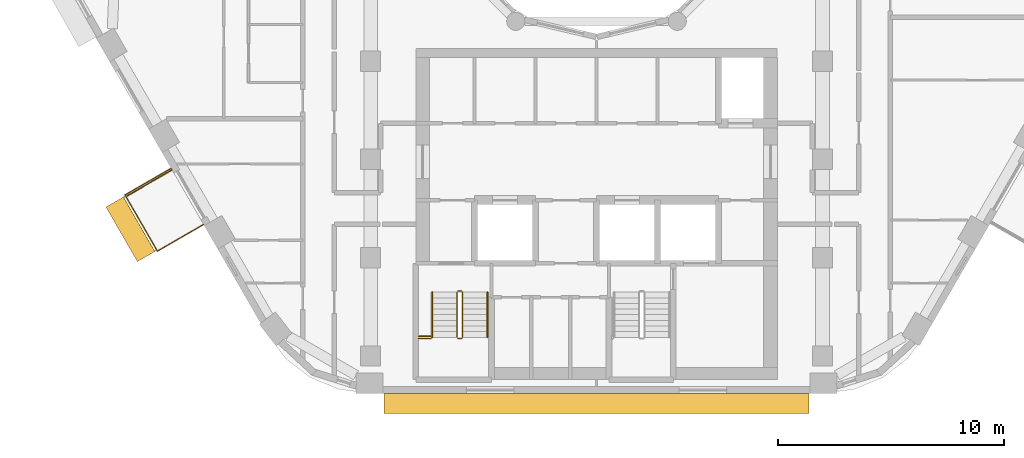
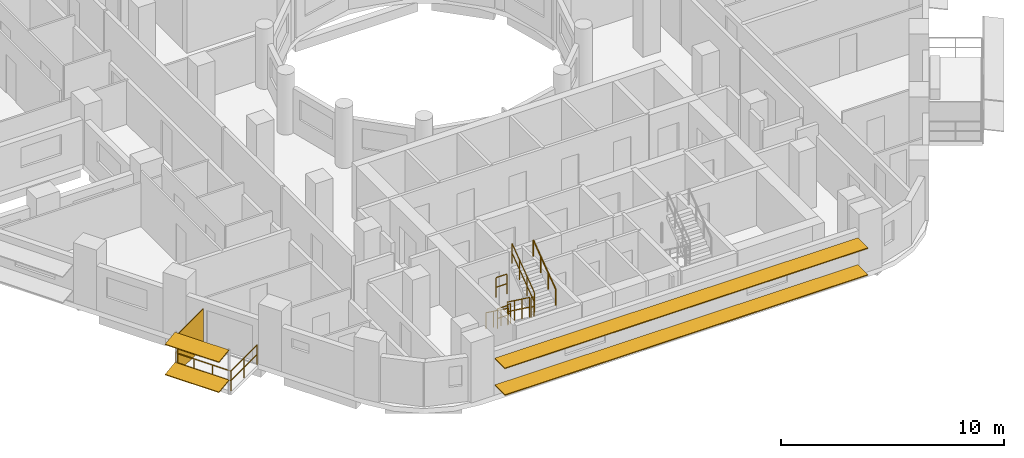
# One storey, part 14 of 17: 9 railings, 5 shading devices.
"""IFC4 building model written with IfcOpenShell, lengths in metres."""

from ifc_helpers import new_model, si_unit, direction, frame, origin, origin_2d, place, context, subcontext, project, spatial, rectangle, circle, extrude, material, layer, layer_set, material_profile, profile_set, type_object, element, save


model = new_model("IFC4")

# Units and contexts
model_context = context("Model", 3, precision=1e-05, world=origin(), true_north=direction((0.0, 1.0)))
body_context = subcontext(model_context, "Body", "Model", "MODEL_VIEW")
ifc_project = project(units=[si_unit("LENGTHUNIT", "METRE"), si_unit("AREAUNIT", "SQUARE_METRE"), si_unit("VOLUMEUNIT", "CUBIC_METRE"), si_unit("PLANEANGLEUNIT", "RADIAN"), si_unit("MASSUNIT", "GRAM", prefix="KILO")], contexts=[model_context])

# Site, building, storey
site_placement = place(None, origin())
site = spatial("IfcSite", under=ifc_project, at=site_placement, CompositionType="ELEMENT")
building_placement = place(site_placement, origin())
building = spatial("IfcBuilding", under=site, at=building_placement, Name="Nakaniwa Court", CompositionType="ELEMENT")
storey_placement = place(building_placement, frame((0.0, 0.0, 203.10009765625)))
storey = spatial("IfcBuildingStorey", under=building, at=storey_placement, Name="L53", CompositionType="ELEMENT", Elevation=203.10009765625)

# Railing
ifc_material_1 = material(Name="Black powder-coated steel flat bar balustrade S275", Category="steel")
railing_type_1 = type_object("IfcRailingType", Name="Black metal balcony guard 1100", PredefinedType="GUARDRAIL", material=ifc_material_1)
railing_1_placement = place(storey_placement, frame((61.17529296875, 67.305419921875, -0.050048828125)))
element("IfcRailing", 1, at=railing_1_placement, inside=storey, type_object=railing_type_1, Name="L53 balcony guard 02", PredefinedType="GUARDRAIL", context=body_context, shape_type="SweptSolid", body=[
    extrude(circle(Radius=0.02392578125, at=origin_2d()), frame((0.0, 0.0, 1.076171875), z_axis=(-0.866025363618, -0.50000006957, 0.0), x_axis=(0.50000006957, -0.866025363618, 0.0)), (0.0, 0.0, 1.0), 2.35986328125),
    extrude(circle(Radius=0.02392578125, at=origin_2d()), frame((0.0, 0.0, 0.550048828125), z_axis=(-0.866025363618, -0.50000006957, 0.0), x_axis=(0.50000006957, -0.866025363618, 0.0)), (0.0, 0.0, 1.0), 2.35986328125),
    extrude(circle(Radius=0.02392578125, at=origin_2d()), frame((-2.043701171875, -1.179931640625, 1.076171875), z_axis=(0.499975463599, -0.866039569419, 0.0), x_axis=(0.866039569419, 0.499975463599, 0.0)), (0.0, 0.0, 1.0), 2.867919921875),
    extrude(circle(Radius=0.02392578125, at=origin_2d()), frame((-2.043701171875, -1.179931640625, 0.550048828125), z_axis=(0.499975463599, -0.866039569419, 0.0), x_axis=(0.866039569419, 0.499975463599, 0.0)), (0.0, 0.0, 1.0), 2.867919921875),
    extrude(circle(Radius=0.02392578125, at=origin_2d()), frame((-0.60986328125, -3.66357421875, 1.076171875), z_axis=(0.865980564943, 0.500077655111, 0.0), x_axis=(-0.500077655111, 0.865980564943, 0.0)), (0.0, 0.0, 1.0), 2.35986328125),
    extrude(circle(Radius=0.02392578125, at=origin_2d()), frame((-0.60986328125, -3.66357421875, 0.550048828125), z_axis=(0.865980564943, 0.500077655111, 0.0), x_axis=(-0.500077655111, 0.865980564943, 0.0)), (0.0, 0.0, 1.0), 2.35986328125),
    extrude(circle(Radius=0.02099609375, at=origin_2d()), origin(), (0.0, 0.0, 1.0), 1.052001953125),
    extrude(circle(Radius=0.02099609375, at=origin_2d()), frame((-1.02197265625, -0.58984375, 0.0)), (0.0, 0.0, 1.0), 1.052001953125),
    extrude(circle(Radius=0.02099609375, at=origin_2d()), frame((-2.043701171875, -1.179931640625, 0.0)), (0.0, 0.0, 1.0), 1.052001953125),
    extrude(circle(Radius=0.02099609375, at=origin_2d()), frame((-1.565673828125, -2.0078125, 0.0)), (0.0, 0.0, 1.0), 1.052001953125),
    extrude(circle(Radius=0.02099609375, at=origin_2d()), frame((-1.087890625, -2.835693359375, 0.0)), (0.0, 0.0, 1.0), 1.052001953125),
    extrude(circle(Radius=0.02099609375, at=origin_2d()), frame((-0.60986328125, -3.66357421875, 0.0)), (0.0, 0.0, 1.0), 1.052001953125),
    extrude(circle(Radius=0.02099609375, at=origin_2d()), frame((0.412109375, -3.073486328125, 0.0)), (0.0, 0.0, 1.0), 1.052001953125),
    extrude(circle(Radius=0.02099609375, at=origin_2d()), frame((1.433837890625, -2.4833984375, 0.0)), (0.0, 0.0, 1.0), 1.052001953125),
])

# Shading devices
ifc_material_2 = material(Name="Black powder-coated aluminium slat screen", Category="aluminium")
ifc_layer = layer(ifc_material_2, 0.0400390625)
ifc_layer_set = layer_set([ifc_layer], Name="Black powder-coated aluminium slat screen")
shading_device_type_1 = type_object("IfcShadingDeviceType", Name="Koshi screen black metal", PredefinedType="USERDEFINED", material=ifc_layer_set)
shading_device_placement = place(storey_placement, frame((60.215087890625, 66.65869140625, -0.050048828125), z_axis=(0.0, 0.0, 1.0), x_axis=(0.500016626402, -0.866015804314, 0.0)))
element("IfcShadingDevice", 2, at=shading_device_placement, inside=storey, type_object=shading_device_type_1, Name="L53 balcony SCREEN 02 W", ObjectType="KOSHI SCREEN", PredefinedType="USERDEFINED", context=body_context, shape_type="SweptSolid", body=[
    extrude(rectangle(XDim=0.0400390625, YDim=2.31005859375, at=origin_2d()), origin(), (0.0, 0.0, 1.0), 2.10009765625),
])
ifc_material_3 = material(Name="Perforated charcoal ceramic louvre blade")
ifc_material_profile = material_profile(ifc_material_3, rectangle(XDim=0.89990234375, YDim=0.050048828125, at=origin_2d()), Name="Perforated ceramic louvre blade")
ifc_profile_set = profile_set([ifc_material_profile], Name="Perforated charcoal ceramic louvre blade")
shading_device_type_2 = type_object("IfcShadingDeviceType", Name="Perforated ceramic louvre blade", PredefinedType="JALOUSIE", material=ifc_profile_set)
for number, where, z_axis, x_axis, name in (
    (3, (58.67578125, 65.81591796875, 0.5), (0.500010545262, -0.866019315389, 0.0), (0.858610400093, 0.495732885733, 0.13052619222), "L53 perforated ceramic louvre blade 02 1"),
    (4, (58.67578125, 65.81591796875, 2.14990234375), (0.500010545262, -0.866019315389, 0.0), (0.858610400093, 0.495732885733, 0.13052619222), "L53 perforated ceramic louvre blade 02 2"),
):
    element("IfcShadingDevice", number, at=place(storey_placement, frame(where, z_axis=z_axis, x_axis=x_axis)), inside=storey, type_object=shading_device_type_2, Name=name, PredefinedType="JALOUSIE", context=body_context, shape_type="SweptSolid", body=[
        extrude(rectangle(XDim=0.89990234375, YDim=0.050048828125, at=origin_2d()), origin(), (0.0, 0.0, 1.0), 2.78759765625),
    ])
for number, where, z_axis, x_axis, name in (
    (5, (70.6005859375, 56.89990234375, 0.5498046875), (1.0, 0.0, 0.0), (0.0, 1.0, 0.0), "L53 perforated ceramic louvre blade w26 1"),
    (6, (70.6005859375, 56.89990234375, 2.014892578125), (1.0, 0.0, 0.0), (0.0, 1.0, 0.0), "L53 perforated ceramic louvre blade w26 2"),
):
    element("IfcShadingDevice", number, at=place(storey_placement, frame(where, z_axis=z_axis, x_axis=x_axis)), inside=storey, type_object=shading_device_type_2, Name=name, PredefinedType="JALOUSIE", context=body_context, shape_type="SweptSolid", body=[
        extrude(rectangle(XDim=0.89990234375, YDim=0.050048828125, at=origin_2d()), origin(), (0.0, 0.0, 1.0), 18.79296875),
    ])

# Railings
ifc_material_4 = material(Name="Black powder coated steel guard", Category="steel")
railing_type_2 = type_object("IfcRailingType", Name="Stair guard 1100", PredefinedType="GUARDRAIL", material=ifc_material_4)
railing_2_placement = place(storey_placement, frame((73.824951171875, 61.824951171875, 0.183349609375)))
element("IfcRailing", 7, at=railing_2_placement, inside=storey, type_object=railing_type_2, Name="L53 ST3 stair guard 1", PredefinedType="GUARDRAIL", context=body_context, shape_type="SweptSolid", body=[
    extrude(circle(Radius=0.02392578125, at=origin_2d()), frame((0.0, 0.0, 1.076171875), z_axis=(0.0, -0.806426902644, 0.591333789573), x_axis=(1.0, 0.0, 0.0)), (0.0, 0.0, 1.0), 2.47998046875),
    extrude(circle(Radius=0.02392578125, at=origin_2d()), frame((0.0, 0.0, 0.550048828125), z_axis=(0.0, -0.806426902644, 0.591333789573), x_axis=(1.0, 0.0, 0.0)), (0.0, 0.0, 1.0), 2.47998046875),
    extrude(circle(Radius=0.02099609375, at=origin_2d()), origin(), (0.0, 0.0, 1.0), 1.052001953125),
    extrude(circle(Radius=0.02099609375, at=origin_2d()), frame((0.0, -0.666748046875, 0.48876953125)), (0.0, 0.0, 1.0), 1.052001953125),
    extrude(circle(Radius=0.02099609375, at=origin_2d()), frame((0.0, -1.333251953125, 0.977783203125)), (0.0, 0.0, 1.0), 1.052001953125),
    extrude(circle(Radius=0.02099609375, at=origin_2d()), frame((0.0, -2.0, 1.466552734375)), (0.0, 0.0, 1.0), 1.052001953125),
])
railing_3_placement = place(storey_placement, frame((73.875, 59.77490234375, 1.64990234375)))
element("IfcRailing", 8, at=railing_3_placement, inside=storey, type_object=railing_type_2, Name="L53 ST3 stair guard 2", PredefinedType="GUARDRAIL", context=body_context, shape_type="SweptSolid", body=[
    extrude(circle(Radius=0.02392578125, at=origin_2d()), frame((0.0, 0.0, 1.076171875), z_axis=(1.0, 0.0, 0.0), x_axis=(0.0, 1.0, 0.0)), (0.0, 0.0, 1.0), 0.14990234375),
    extrude(circle(Radius=0.02392578125, at=origin_2d()), frame((0.0, 0.0, 0.550048828125), z_axis=(1.0, 0.0, 0.0), x_axis=(0.0, 1.0, 0.0)), (0.0, 0.0, 1.0), 0.14990234375),
    extrude(circle(Radius=0.02099609375, at=origin_2d()), origin(), (0.0, 0.0, 1.0), 1.052001953125),
    extrude(circle(Radius=0.02099609375, at=origin_2d()), frame((0.14990234375, 0.0, 0.0)), (0.0, 0.0, 1.0), 1.052001953125),
])
railing_4_placement = place(storey_placement, frame((74.074951171875, 59.824951171875, 1.833251953125)))
element("IfcRailing", 9, at=railing_4_placement, inside=storey, type_object=railing_type_2, Name="L53 ST3 stair guard 3", PredefinedType="GUARDRAIL", context=body_context, shape_type="SweptSolid", body=[
    extrude(circle(Radius=0.02392578125, at=origin_2d()), frame((0.0, 0.0, 1.076171875), z_axis=(0.0, 0.806426902644, 0.591333789573), x_axis=(-1.0, 0.0, 0.0)), (0.0, 0.0, 1.0), 2.47998046875),
    extrude(circle(Radius=0.02392578125, at=origin_2d()), frame((0.0, 0.0, 0.550048828125), z_axis=(0.0, 0.806426902644, 0.591333789573), x_axis=(-1.0, 0.0, 0.0)), (0.0, 0.0, 1.0), 2.47998046875),
    extrude(circle(Radius=0.02099609375, at=origin_2d()), origin(), (0.0, 0.0, 1.0), 1.052001953125),
    extrude(circle(Radius=0.02099609375, at=origin_2d()), frame((0.0, 0.666748046875, 0.48876953125)), (0.0, 0.0, 1.0), 1.052001953125),
    extrude(circle(Radius=0.02099609375, at=origin_2d()), frame((0.0, 1.333251953125, 0.977783203125)), (0.0, 0.0, 1.0), 1.052001953125),
    extrude(circle(Radius=0.02099609375, at=origin_2d()), frame((0.0, 2.0, 1.466552734375)), (0.0, 0.0, 1.0), 1.052001953125),
])
railing_5_placement = place(storey_placement, frame((73.875, 61.875, 0.0)))
element("IfcRailing", 10, at=railing_5_placement, inside=storey, type_object=railing_type_2, Name="L53 ST3 stair guard 4", PredefinedType="GUARDRAIL", context=body_context, shape_type="SweptSolid", body=[
    extrude(circle(Radius=0.02392578125, at=origin_2d()), frame((0.0, 0.0, 1.076171875), z_axis=(1.0, 0.0, 0.0), x_axis=(0.0, 1.0, 0.0)), (0.0, 0.0, 1.0), 0.14990234375),
    extrude(circle(Radius=0.02392578125, at=origin_2d()), frame((0.0, 0.0, 0.550048828125), z_axis=(1.0, 0.0, 0.0), x_axis=(0.0, 1.0, 0.0)), (0.0, 0.0, 1.0), 0.14990234375),
    extrude(circle(Radius=0.02099609375, at=origin_2d()), origin(), (0.0, 0.0, 1.0), 1.052001953125),
    extrude(circle(Radius=0.02099609375, at=origin_2d()), frame((0.14990234375, 0.0, 0.0)), (0.0, 0.0, 1.0), 1.052001953125),
])
for number, where, name in (
    (11, (72.125, 59.77490234375, 1.64990234375), "L53 ST3 landing side guard 1W"),
    (12, (72.125, 59.875, 3.2998046875), "L53 ST3 floor edge guard 1W"),
):
    element("IfcRailing", number, at=place(storey_placement, frame(where)), inside=storey, type_object=railing_type_2, Name=name, PredefinedType="GUARDRAIL", context=body_context, shape_type="SweptSolid", body=[
        extrude(circle(Radius=0.02392578125, at=origin_2d()), frame((0.0, 0.0, 1.076171875), z_axis=(1.0, 0.0, 0.0), x_axis=(0.0, 1.0, 0.0)), (0.0, 0.0, 1.0), 0.550048828125),
        extrude(circle(Radius=0.02392578125, at=origin_2d()), frame((0.0, 0.0, 0.550048828125), z_axis=(1.0, 0.0, 0.0), x_axis=(0.0, 1.0, 0.0)), (0.0, 0.0, 1.0), 0.550048828125),
        extrude(circle(Radius=0.02099609375, at=origin_2d()), origin(), (0.0, 0.0, 1.0), 1.052001953125),
        extrude(circle(Radius=0.02099609375, at=origin_2d()), frame((0.550048828125, 0.0, 0.0)), (0.0, 0.0, 1.0), 1.052001953125),
    ])
ifc_material_5 = material(Name="Black powder coated steel handrail", Category="steel")
railing_type_3 = type_object("IfcRailingType", Name="Stair handrail 900", PredefinedType="HANDRAIL", material=ifc_material_5)
railing_6_placement = place(storey_placement, frame((72.72509765625, 61.824951171875, 0.183349609375)))
element("IfcRailing", 13, at=railing_6_placement, inside=storey, type_object=railing_type_3, Name="L53 ST3 stair handrail 1", PredefinedType="HANDRAIL", context=body_context, shape_type="SweptSolid", body=[
    extrude(circle(Radius=0.02392578125, at=origin_2d()), frame((0.0, 0.0, 0.8759765625), z_axis=(0.0, -0.806426902644, 0.591333789573), x_axis=(1.0, 0.0, 0.0)), (0.0, 0.0, 1.0), 2.47998046875),
    extrude(circle(Radius=0.02099609375, at=origin_2d()), origin(), (0.0, 0.0, 1.0), 0.851806640625),
    extrude(circle(Radius=0.02099609375, at=origin_2d()), frame((0.0, -0.666748046875, 0.48876953125)), (0.0, 0.0, 1.0), 0.851806640625),
    extrude(circle(Radius=0.02099609375, at=origin_2d()), frame((0.0, -1.333251953125, 0.977783203125)), (0.0, 0.0, 1.0), 0.851806640625),
    extrude(circle(Radius=0.02099609375, at=origin_2d()), frame((0.0, -2.0, 1.466552734375)), (0.0, 0.0, 1.0), 0.851806640625),
])
railing_7_placement = place(storey_placement, frame((75.175048828125, 59.824951171875, 1.833251953125)))
element("IfcRailing", 14, at=railing_7_placement, inside=storey, type_object=railing_type_3, Name="L53 ST3 stair handrail 2", PredefinedType="HANDRAIL", context=body_context, shape_type="SweptSolid", body=[
    extrude(circle(Radius=0.02392578125, at=origin_2d()), frame((0.0, 0.0, 0.8759765625), z_axis=(0.0, 0.806426902644, 0.591333789573), x_axis=(-1.0, 0.0, 0.0)), (0.0, 0.0, 1.0), 2.47998046875),
    extrude(circle(Radius=0.02099609375, at=origin_2d()), origin(), (0.0, 0.0, 1.0), 0.851806640625),
    extrude(circle(Radius=0.02099609375, at=origin_2d()), frame((0.0, 0.666748046875, 0.48876953125)), (0.0, 0.0, 1.0), 0.851806640625),
    extrude(circle(Radius=0.02099609375, at=origin_2d()), frame((0.0, 1.333251953125, 0.977783203125)), (0.0, 0.0, 1.0), 0.851806640625),
    extrude(circle(Radius=0.02099609375, at=origin_2d()), frame((0.0, 2.0, 1.466552734375)), (0.0, 0.0, 1.0), 0.851806640625),
])

save(model, "model.ifc")
